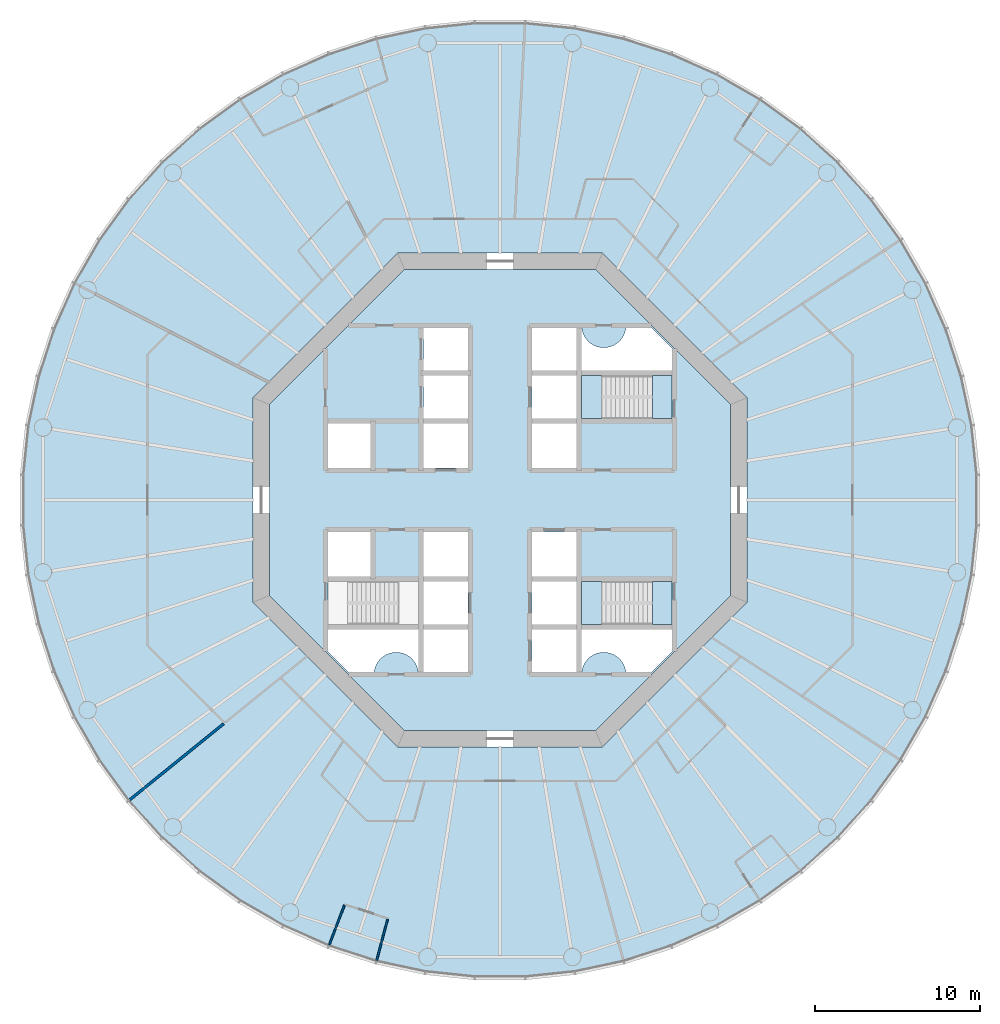
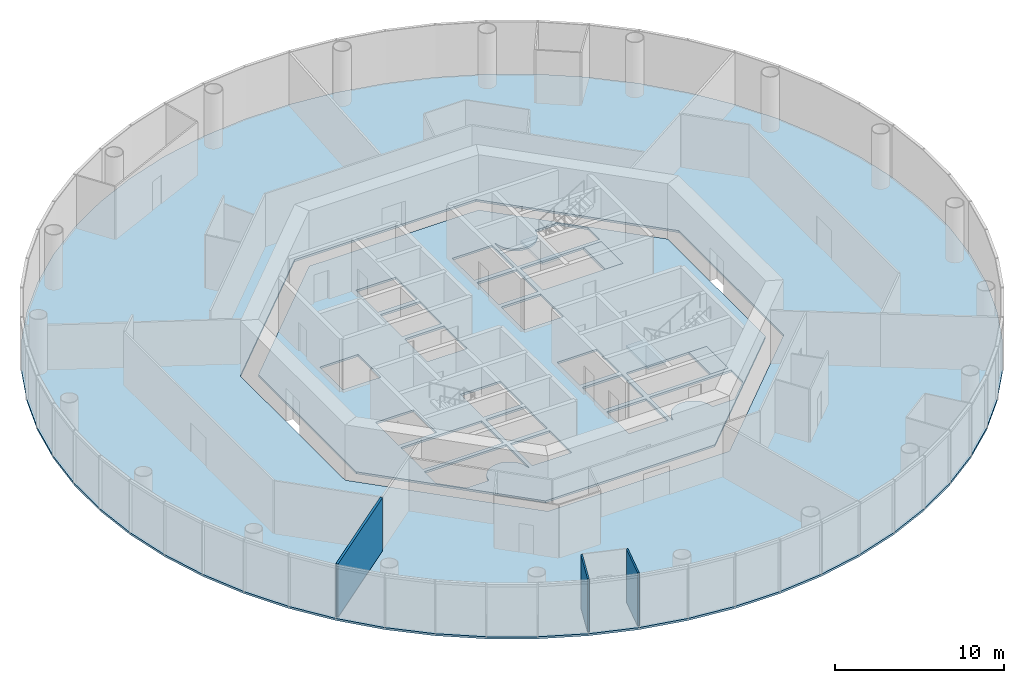
# One storey, part 2 of 13: 6 slabs, 3 walls, 2 elements without a shape of their own.
"""IFC4 building model written with IfcOpenShell, lengths in metres."""

from ifc_helpers import new_model, si_unit, direction, frame, frame_2d, origin, place, context, subcontext, project, spatial, polyline, rectangle, outline, extrude, material, layer, layer_set, type_object, element, aggregate, save


model = new_model("IFC4")

# Units and contexts
model_context = context("Model", 3, precision=1e-05, world=origin(), true_north=direction((0.0, 1.0)))
body_context = subcontext(model_context, "Body", "Model", "MODEL_VIEW")
ifc_project = project(units=[si_unit("LENGTHUNIT", "METRE"), si_unit("AREAUNIT", "SQUARE_METRE"), si_unit("VOLUMEUNIT", "CUBIC_METRE"), si_unit("PLANEANGLEUNIT", "RADIAN"), si_unit("MASSUNIT", "GRAM", prefix="KILO")], contexts=[model_context])

# Site, building, storey
site_placement = place(None, origin())
site = spatial("IfcSite", under=ifc_project, at=site_placement, CompositionType="ELEMENT")
building_placement = place(site_placement, origin())
building = spatial("IfcBuilding", under=site, at=building_placement, Name="Entoto Ring Tower", CompositionType="ELEMENT")
storey_placement = place(building_placement, frame((0.0, 0.0, 168.0)))
storey = spatial("IfcBuildingStorey", under=building, at=storey_placement, Name="L38", CompositionType="ELEMENT", Elevation=168.0)

# Slabs
ifc_material_1 = material(Name="Concrete C30/37", Category="concrete")
ifc_layer_1 = layer(ifc_material_1, 0.14990234375)
ifc_layer_set_1 = layer_set([ifc_layer_1], Name="Concrete C30/37")
slab_type_1 = type_object("IfcSlabType", Name="Composite floor slab 150 mm", PredefinedType="FLOOR", material=ifc_layer_set_1)
slab_1_placement = place(storey_placement, frame((0.0, 0.0, -0.14990234375)))
element("IfcSlab", 1, at=slab_1_placement, inside=storey, type_object=slab_type_1, Name="Floor slab L38", PredefinedType="FLOOR", context=body_context, shape_type="SweptSolid", body=[
    extrude(outline(polyline([(118.74169921875, 84.55224609375), (118.1083984375, 87.53173828125), (117.167236328125, 90.428466796875), (115.92822265625, 93.211181640625), (114.4052734375, 95.848876953125), (112.614990234375, 98.313232421875), (110.576904296875, 100.576904296875), (108.313232421875, 102.614990234375), (105.848876953125, 104.4052734375), (103.211181640625, 105.92822265625), (100.428466796875, 107.167236328125), (97.53173828125, 108.1083984375), (94.55224609375, 108.74169921875), (91.52294921875, 109.06005859375), (88.47705078125, 109.06005859375), (85.44775390625, 108.74169921875), (82.46826171875, 108.1083984375), (79.571533203125, 107.167236328125), (76.788818359375, 105.92822265625), (74.151123046875, 104.4052734375), (71.686767578125, 102.614990234375), (69.423095703125, 100.576904296875), (67.385009765625, 98.313232421875), (65.5947265625, 95.848876953125), (64.07177734375, 93.211181640625), (62.832763671875, 90.428466796875), (61.8916015625, 87.53173828125), (61.25830078125, 84.55224609375), (60.93994140625, 81.52294921875), (60.93994140625, 78.47705078125), (61.25830078125, 75.44775390625), (61.8916015625, 72.46826171875), (62.832763671875, 69.571533203125), (64.07177734375, 66.788818359375), (65.5947265625, 64.151123046875), (67.385009765625, 61.686767578125), (69.423095703125, 59.423095703125), (71.686767578125, 57.385009765625), (74.151123046875, 55.5947265625), (76.788818359375, 54.07177734375), (79.571533203125, 52.832763671875), (82.46826171875, 51.8916015625), (85.44775390625, 51.25830078125), (88.47705078125, 50.93994140625), (91.52294921875, 50.93994140625), (94.55224609375, 51.25830078125), (97.53173828125, 51.8916015625), (100.428466796875, 52.832763671875), (103.211181640625, 54.07177734375), (105.848876953125, 55.5947265625), (108.313232421875, 57.385009765625), (110.576904296875, 59.423095703125), (112.614990234375, 61.686767578125), (114.4052734375, 64.151123046875), (115.92822265625, 66.788818359375), (117.167236328125, 69.571533203125), (118.1083984375, 72.46826171875), (118.74169921875, 75.44775390625), (119.06005859375, 78.47705078125), (119.06005859375, 81.52294921875), (118.74169921875, 84.55224609375)]), holes=[polyline([(105.0, 73.786865234375), (105.0, 86.213134765625), (96.213134765625, 95.0), (83.786865234375, 95.0), (75.0, 86.213134765625), (75.0, 73.786865234375), (83.786865234375, 65.0), (96.213134765625, 65.0), (105.0, 73.786865234375)])]), origin(), (0.0, 0.0, 1.0), 0.14990234375),
])
ifc_material_2 = material(Name="Concrete C40/50", Category="concrete")
ifc_layer_2 = layer(ifc_material_2, 0.14990234375)
ifc_layer_set_2 = layer_set([ifc_layer_2], Name="Concrete C40/50")
slab_type_2 = type_object("IfcSlabType", Name="Core floor slab 150 mm reinforced concrete C40/50", PredefinedType="FLOOR", material=ifc_layer_set_2)
slab_2_placement = place(storey_placement, frame((0.0, 0.0, -0.14990234375)))
element("IfcSlab", 2, at=slab_2_placement, inside=storey, type_object=slab_type_2, Name="Core floor L38", PredefinedType="FLOOR", context=body_context, shape_type="SweptSolid", body=[
    extrude(outline(polyline([(104.0, 74.200927734375), (104.0, 85.799072265625), (95.799072265625, 94.0), (84.200927734375, 94.0), (76.0, 85.799072265625), (76.0, 74.200927734375), (84.200927734375, 66.0), (95.799072265625, 66.0), (104.0, 74.200927734375)]), holes=[polyline([(100.449951171875, 84.949951171875), (100.449951171875, 87.550048828125), (94.949951171875, 87.550048828125), (94.949951171875, 84.949951171875), (100.449951171875, 84.949951171875)]), polyline([(85.050048828125, 72.449951171875), (85.050048828125, 75.050048828125), (79.550048828125, 75.050048828125), (79.550048828125, 72.449951171875), (85.050048828125, 72.449951171875)]), polyline([(100.449951171875, 72.449951171875), (100.449951171875, 75.050048828125), (94.949951171875, 75.050048828125), (94.949951171875, 72.449951171875), (100.449951171875, 72.449951171875)]), polyline([(91.949951171875, 84.949951171875), (94.64990234375, 84.949951171875), (94.64990234375, 87.550048828125), (91.949951171875, 87.550048828125), (91.949951171875, 84.949951171875)]), polyline([(91.949951171875, 72.449951171875), (94.64990234375, 72.449951171875), (94.64990234375, 75.050048828125), (91.949951171875, 75.050048828125), (91.949951171875, 72.449951171875)]), polyline([(91.949951171875, 69.550048828125), (94.64990234375, 69.550048828125), (94.64990234375, 72.14990234375), (91.949951171875, 72.14990234375), (91.949951171875, 69.550048828125)]), polyline([(85.35009765625, 72.449951171875), (88.050048828125, 72.449951171875), (88.050048828125, 75.050048828125), (85.35009765625, 75.050048828125), (85.35009765625, 72.449951171875)]), polyline([(85.35009765625, 81.949951171875), (88.050048828125, 81.949951171875), (88.050048828125, 84.64990234375), (85.35009765625, 84.64990234375), (85.35009765625, 81.949951171875)]), polyline([(91.949951171875, 75.35009765625), (94.64990234375, 75.35009765625), (94.64990234375, 78.050048828125), (91.949951171875, 78.050048828125), (91.949951171875, 75.35009765625)]), polyline([(79.550048828125, 81.949951171875), (82.14990234375, 81.949951171875), (82.14990234375, 84.64990234375), (79.550048828125, 84.64990234375), (79.550048828125, 81.949951171875)]), polyline([(79.550048828125, 75.35009765625), (82.14990234375, 75.35009765625), (82.14990234375, 78.050048828125), (79.550048828125, 78.050048828125), (79.550048828125, 75.35009765625)]), polyline([(91.949951171875, 87.85009765625), (94.64990234375, 87.85009765625), (94.64990234375, 90.449951171875), (91.949951171875, 90.449951171875), (91.949951171875, 87.85009765625)]), polyline([(85.35009765625, 69.550048828125), (88.050048828125, 69.550048828125), (88.050048828125, 72.14990234375), (85.35009765625, 72.14990234375), (85.35009765625, 69.550048828125)]), polyline([(91.949951171875, 81.949951171875), (94.64990234375, 81.949951171875), (94.64990234375, 84.64990234375), (91.949951171875, 84.64990234375), (91.949951171875, 81.949951171875)]), polyline([(85.35009765625, 75.35009765625), (88.050048828125, 75.35009765625), (88.050048828125, 78.050048828125), (85.35009765625, 78.050048828125), (85.35009765625, 75.35009765625)]), polyline([(85.35009765625, 84.949951171875), (88.050048828125, 84.949951171875), (88.050048828125, 87.550048828125), (85.35009765625, 87.550048828125), (85.35009765625, 84.949951171875)]), polyline([(85.35009765625, 87.85009765625), (88.050048828125, 87.85009765625), (88.050048828125, 90.449951171875), (85.35009765625, 90.449951171875), (85.35009765625, 87.85009765625)]), polyline([(94.89990234375, 90.5), (94.89990234375, 87.800048828125), (100.5, 87.800048828125), (100.5, 89.15771484375), (99.15771484375, 90.5), (97.64501953125, 90.5), (97.6435546875, 90.4677734375), (97.6240234375, 90.336669921875), (97.591796875, 90.2080078125), (97.547119140625, 90.08349609375), (97.490478515625, 89.963623046875), (97.422607421875, 89.85009765625), (97.343505859375, 89.74365234375), (97.254638671875, 89.6455078125), (97.156494140625, 89.556396484375), (97.050048828125, 89.4775390625), (96.936279296875, 89.409423828125), (96.816650390625, 89.352783203125), (96.69189453125, 89.30810546875), (96.5634765625, 89.27587890625), (96.432373046875, 89.256591796875), (96.300048828125, 89.25), (96.167724609375, 89.256591796875), (96.03662109375, 89.27587890625), (95.908203125, 89.30810546875), (95.783447265625, 89.352783203125), (95.66357421875, 89.409423828125), (95.550048828125, 89.4775390625), (95.443603515625, 89.556396484375), (95.345458984375, 89.6455078125), (95.25634765625, 89.74365234375), (95.177490234375, 89.85009765625), (95.109375, 89.963623046875), (95.052734375, 90.08349609375), (95.008056640625, 90.2080078125), (94.975830078125, 90.336669921875), (94.95654296875, 90.4677734375), (94.954833984375, 90.5), (94.89990234375, 90.5)]), polyline([(79.5, 70.84228515625), (80.84228515625, 69.5), (82.35498046875, 69.5), (82.3564453125, 69.5322265625), (82.3759765625, 69.663330078125), (82.408203125, 69.7919921875), (82.452880859375, 69.91650390625), (82.509521484375, 70.036376953125), (82.577392578125, 70.14990234375), (82.656494140625, 70.25634765625), (82.745361328125, 70.3544921875), (82.843505859375, 70.443603515625), (82.949951171875, 70.5224609375), (83.063720703125, 70.590576171875), (83.183349609375, 70.647216796875), (83.30810546875, 70.69189453125), (83.4365234375, 70.72412109375), (83.567626953125, 70.743408203125), (83.699951171875, 70.75), (83.832275390625, 70.743408203125), (83.96337890625, 70.72412109375), (84.091796875, 70.69189453125), (84.216552734375, 70.647216796875), (84.33642578125, 70.590576171875), (84.449951171875, 70.5224609375), (84.556396484375, 70.443603515625), (84.654541015625, 70.3544921875), (84.74365234375, 70.25634765625), (84.822509765625, 70.14990234375), (84.890625, 70.036376953125), (84.947265625, 69.91650390625), (84.991943359375, 69.7919921875), (85.024169921875, 69.663330078125), (85.04345703125, 69.5322265625), (85.045166015625, 69.5), (85.10009765625, 69.5), (85.10009765625, 72.199951171875), (79.5, 72.199951171875), (79.5, 70.84228515625)]), polyline([(97.64501953125, 69.5), (99.15771484375, 69.5), (100.5, 70.84228515625), (100.5, 72.199951171875), (94.89990234375, 72.199951171875), (94.89990234375, 69.5), (94.954833984375, 69.5), (94.95654296875, 69.5322265625), (94.975830078125, 69.663330078125), (95.008056640625, 69.7919921875), (95.052734375, 69.91650390625), (95.109375, 70.036376953125), (95.177490234375, 70.14990234375), (95.25634765625, 70.25634765625), (95.345458984375, 70.3544921875), (95.443603515625, 70.443603515625), (95.550048828125, 70.5224609375), (95.66357421875, 70.590576171875), (95.783447265625, 70.647216796875), (95.908203125, 70.69189453125), (96.03662109375, 70.72412109375), (96.167724609375, 70.743408203125), (96.300048828125, 70.75), (96.432373046875, 70.743408203125), (96.5634765625, 70.72412109375), (96.69189453125, 70.69189453125), (96.816650390625, 70.647216796875), (96.936279296875, 70.590576171875), (97.050048828125, 70.5224609375), (97.156494140625, 70.443603515625), (97.254638671875, 70.3544921875), (97.343505859375, 70.25634765625), (97.422607421875, 70.14990234375), (97.490478515625, 70.036376953125), (97.547119140625, 69.91650390625), (97.591796875, 69.7919921875), (97.6240234375, 69.663330078125), (97.6435546875, 69.5322265625), (97.64501953125, 69.5)])]), origin(), (0.0, 0.0, 1.0), 0.14990234375),
])

# Stair, slabs
ifc_material_3 = material(Name="Concrete C40/50", Category="concrete")
stair_type = type_object("IfcStairType", Name="Exit stair 1200 mm dog-leg reinforced concrete", PredefinedType="HALF_TURN_STAIR", material=ifc_material_3)
stair_1_placement = place(storey_placement, origin())
stair_1 = element("IfcStair", 3, at=stair_1_placement, inside=storey, type_object=stair_type, Name="Exit stair 1", PredefinedType="HALF_TURN_STAIR")
ifc_material_4 = material(Name="Concrete C40/50", Category="concrete")
ifc_layer_3 = layer(ifc_material_4, 0.199951171875)
ifc_layer_set_3 = layer_set([ifc_layer_3], Name="Concrete C40/50")
slab_type_3 = type_object("IfcSlabType", Name="Stair landing 200 mm reinforced concrete", PredefinedType="LANDING", material=ifc_layer_set_3)
slab_3_placement = place(storey_placement, frame((0.0, 0.0, -0.199951171875)))
slab_3 = element("IfcSlab", 4, at=slab_3_placement, type_object=slab_type_3, Name="ST1 landing 1", PredefinedType="LANDING", context=body_context, shape_type="SweptSolid", body=[
    extrude(outline(polyline([(100.449951171875, 84.949951171875), (100.449951171875, 87.550048828125), (99.25, 87.550048828125), (99.25, 84.949951171875), (100.449951171875, 84.949951171875)])), origin(), (0.0, 0.0, 1.0), 0.199951171875),
])
slab_4_placement = place(storey_placement, frame((0.0, 0.0, 1.800048828125)))
slab_4 = element("IfcSlab", 5, at=slab_4_placement, type_object=slab_type_3, Name="ST1 landing 2", PredefinedType="LANDING", context=body_context, shape_type="SweptSolid", body=[
    extrude(outline(polyline([(94.949951171875, 84.949951171875), (96.169921875, 84.949951171875), (96.169921875, 87.550048828125), (94.949951171875, 87.550048828125), (94.949951171875, 84.949951171875)])), origin(), (0.0, 0.0, 1.0), 0.199951171875),
])
aggregate(stair_1, [slab_3, slab_4])

stair_2_placement = place(storey_placement, origin())
stair_2 = element("IfcStair", 6, at=stair_2_placement, inside=storey, type_object=stair_type, Name="Exit stair 3", PredefinedType="HALF_TURN_STAIR")
slab_5_placement = place(storey_placement, frame((0.0, 0.0, -0.199951171875)))
slab_5 = element("IfcSlab", 7, at=slab_5_placement, type_object=slab_type_3, Name="ST3 landing 1", PredefinedType="LANDING", context=body_context, shape_type="SweptSolid", body=[
    extrude(outline(polyline([(100.449951171875, 72.449951171875), (100.449951171875, 75.050048828125), (99.25, 75.050048828125), (99.25, 72.449951171875), (100.449951171875, 72.449951171875)])), origin(), (0.0, 0.0, 1.0), 0.199951171875),
])
slab_6_placement = place(storey_placement, frame((0.0, 0.0, 1.800048828125)))
slab_6 = element("IfcSlab", 8, at=slab_6_placement, type_object=slab_type_3, Name="ST3 landing 2", PredefinedType="LANDING", context=body_context, shape_type="SweptSolid", body=[
    extrude(outline(polyline([(94.949951171875, 72.449951171875), (96.169921875, 72.449951171875), (96.169921875, 75.050048828125), (94.949951171875, 75.050048828125), (94.949951171875, 72.449951171875)])), origin(), (0.0, 0.0, 1.0), 0.199951171875),
])
aggregate(stair_2, [slab_5, slab_6])

# Walls
ifc_material_5 = material(Name="Plasterboard on steel studs", Category="steel")
ifc_layer_4 = layer(ifc_material_5, 0.10009765625)
ifc_layer_set_4 = layer_set([ifc_layer_4], Name="Plasterboard on steel studs")
wall_type_1 = type_object("IfcWallType", Name="Partition 100 mm plasterboard on steel studs", PredefinedType="PARTITIONING", material=ifc_layer_set_4)
for number, where, z_axis, x_axis, name in (
    (9, (79.62890625, 52.982177734375, 0.0), (0.0, 0.0, 1.0), (0.358351242757, 0.933586839461, 0.0), "partition-L38-037"),
    (10, (82.509765625, 52.046142578125, 0.0), (0.0, 0.0, 1.0), (0.258799149182, 0.965931157165, 0.0), "partition-L38-038"),
):
    element("IfcWall", number, at=place(storey_placement, frame(where, z_axis=z_axis, x_axis=x_axis)), inside=storey, type_object=wall_type_1, Name=name, PredefinedType="PARTITIONING", context=body_context, shape_type="SweptSolid", body=[
        extrude(rectangle(XDim=2.580078125, YDim=0.10009765625, at=frame_2d((1.2900390625, 0.0))), origin(), (0.0, 0.0, 1.0), 3.85009765625),
    ])
ifc_material_6 = material(Name="Fire-resisting acoustic plasterboard on steel studs", Category="steel")
ifc_layer_5 = layer(ifc_material_6, 0.14990234375)
ifc_layer_set_5 = layer_set([ifc_layer_5], Name="Fire-resisting acoustic plasterboard on steel studs")
wall_type_2 = type_object("IfcWallType", Name="Party wall 150 mm one-hour acoustic plasterboard on steel studs", PredefinedType="PARTITIONING", material=ifc_layer_set_5)
wall_placement = place(storey_placement, frame((67.509521484375, 61.78759765625, 0.0), z_axis=(0.0, 0.0, 1.0), x_axis=(0.777145090465, 0.629321466634, 0.0)))
element("IfcWall", 11, at=wall_placement, inside=storey, type_object=wall_type_2, Name="partition-L38-019", PredefinedType="PARTITIONING", context=body_context, shape_type="SweptSolid", body=[
    extrude(rectangle(XDim=7.35107421875, YDim=0.14990234375, at=frame_2d((3.675537109375, 0.0))), origin(), (0.0, 0.0, 1.0), 3.85009765625),
])

save(model, "model.ifc")
